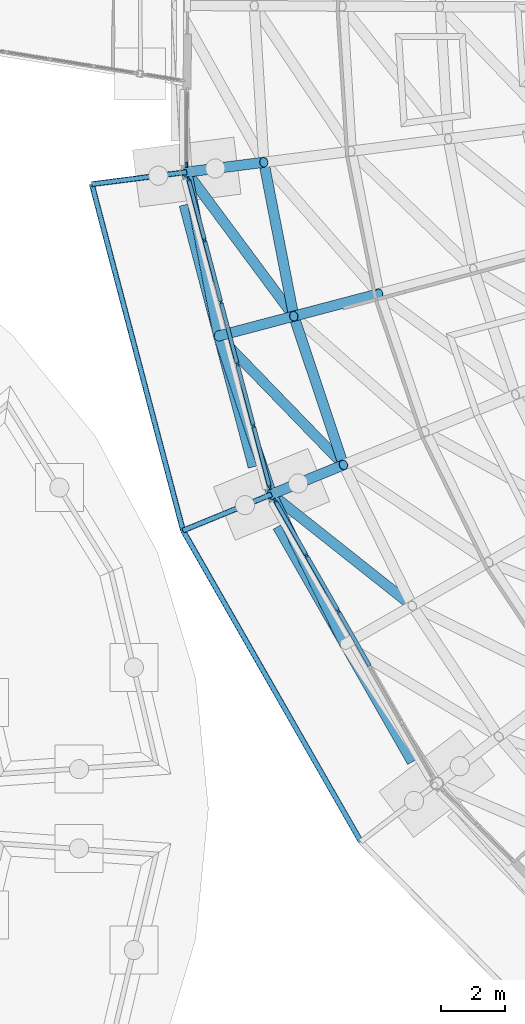
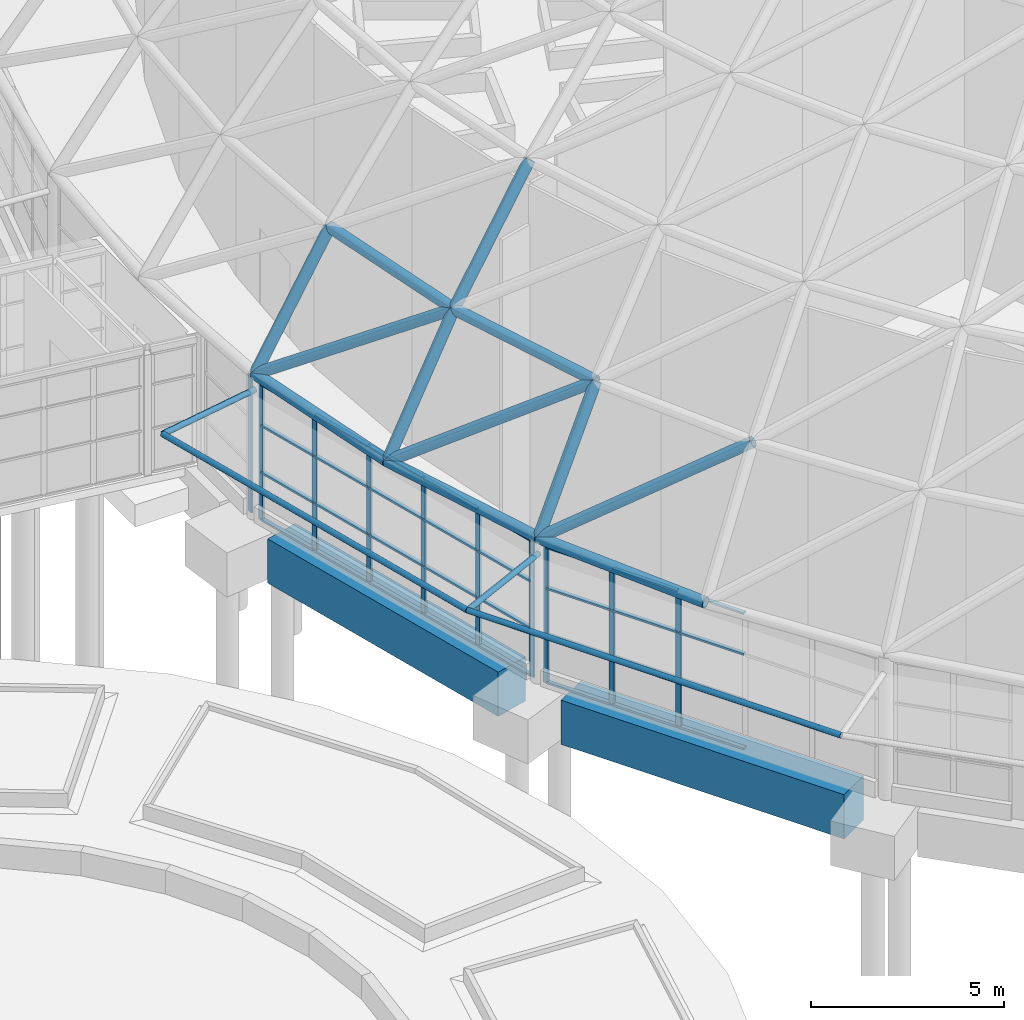
# One storey, part 72 of 226: 58 members, 2 beams, 3 elements without a shape of their own.
"""IFC4 building model written with IfcOpenShell, lengths in metres."""

from ifc_helpers import new_model, si_unit, direction, frame, origin, origin_2d, place, context, subcontext, project, spatial, rectangle, hollow_circle, extrude, material, material_profile, profile_set, type_object, element, aggregate, save


model = new_model("IFC4")

# Units and contexts
model_context = context("Model", 3, precision=1e-05, world=origin(), true_north=direction((0.0, 1.0)))
body_context = subcontext(model_context, "Body", "Model", "MODEL_VIEW")
ifc_project = project(units=[si_unit("LENGTHUNIT", "METRE"), si_unit("AREAUNIT", "SQUARE_METRE"), si_unit("VOLUMEUNIT", "CUBIC_METRE"), si_unit("PLANEANGLEUNIT", "RADIAN"), si_unit("MASSUNIT", "GRAM", prefix="KILO")], contexts=[model_context])

# Site, building, storey
site_placement = place(None, origin())
site = spatial("IfcSite", under=ifc_project, at=site_placement, CompositionType="ELEMENT")
building_placement = place(site_placement, origin())
building = spatial("IfcBuilding", under=site, at=building_placement, Name="Ceibo Conservatory and Research Tower", CompositionType="ELEMENT")
storey_placement = place(building_placement, origin())
storey = spatial("IfcBuildingStorey", under=building, at=storey_placement, Name="L00", CompositionType="ELEMENT", Elevation=0.0)

# Members
ifc_material_1 = material(Name="Steel ASTM A500 Gr C", Category="steel")
ifc_material_profile_1 = material_profile(ifc_material_1, hollow_circle(Radius=0.084228515625, WallThickness=0.007080078125, at=origin_2d()), Name="CHS 168.3x7.11")
ifc_profile_set_1 = profile_set([ifc_material_profile_1], Name="Steel ASTM A500 Gr C")
member_type_1 = type_object("IfcMemberType", Name="CHS 168.3x7.11", PredefinedType="NOTDEFINED", material=ifc_profile_set_1)
for number, where, z_axis, x_axis, name in (
    (1, (116.31982421875, 102.9521484375, 4.0), (-0.990977715429, -0.126087484547, -0.045443522799), (0.126217879041, -0.992002543853, 0.0), "Brim brace bracket A-BK13"),
    (2, (118.978271484375, 92.85400390625, 4.0), (-0.924579088193, -0.378270157158, -0.045444448281), (0.378661364567, -0.925535288892, 0.0), "Brim brace bracket A-BK14"),
):
    element("IfcMember", number, at=place(storey_placement, frame(where, z_axis=z_axis, x_axis=x_axis)), inside=storey, type_object=member_type_1, Name=name, PredefinedType="BRACE", context=body_context, shape_type="SweptSolid", body=[
        extrude(hollow_circle(Radius=0.084228515625, WallThickness=0.007080078125, at=origin_2d()), origin(), (0.0, 0.0, 1.0), 3.003173828125),
    ])
member_1_placement = place(storey_placement, frame((113.34375, 102.573486328125, 3.863525390625), z_axis=(0.254593929339, -0.96704805007, 0.0), x_axis=(0.96704805007, 0.254593929339, 0.0)))
element("IfcMember", 3, at=member_1_placement, inside=storey, type_object=member_type_1, Name="Brim tip ring A-TR16", PredefinedType="CHORD", context=body_context, shape_type="SweptSolid", body=[
    extrude(hollow_circle(Radius=0.084228515625, WallThickness=0.007080078125, at=origin_2d()), origin(), (0.0, 0.0, 1.0), 11.225341796875),
])
member_2_placement = place(storey_placement, frame((116.20166015625, 91.718017578125, 3.863525390625), z_axis=(0.496232624873, -0.868189600267, 0.0), x_axis=(0.868189600267, 0.496232624873, 0.0)))
element("IfcMember", 4, at=member_2_placement, inside=storey, type_object=member_type_1, Name="Brim tip ring A-TR17", PredefinedType="CHORD", context=body_context, shape_type="SweptSolid", body=[
    extrude(hollow_circle(Radius=0.084228515625, WallThickness=0.007080078125, at=origin_2d()), origin(), (0.0, 0.0, 1.0), 11.22509765625),
])
ifc_material_profile_2 = material_profile(ifc_material_1, hollow_circle(Radius=0.161865234375, WallThickness=0.01025390625, at=origin_2d()), Name="CHS 323.9x10.31")
ifc_profile_set_2 = profile_set([ifc_material_profile_2], Name="Steel ASTM A500 Gr C")
member_type_2 = type_object("IfcMemberType", Name="CHS 323.9x10.31", PredefinedType="NOTDEFINED", material=ifc_profile_set_2)
member_3_placement = place(storey_placement, frame((118.735107421875, 103.259033203125, 8.115966796875), z_axis=(0.190905568132, -0.981608406676, 0.0), x_axis=(0.981608406676, 0.190905568132, 0.0)))
element("IfcMember", 5, at=member_3_placement, inside=storey, type_object=member_type_2, Name="Gridshell member A-C02-25", PredefinedType="CHORD", context=body_context, shape_type="SweptSolid", body=[
    extrude(hollow_circle(Radius=0.161865234375, WallThickness=0.01025390625, at=origin_2d()), origin(), (0.0, 0.0, 1.0), 4.913330078125),
])
member_4_placement = place(storey_placement, frame((119.673095703125, 98.43603515625, 8.115966796875), z_axis=(0.31722621995, -0.94834989607, 0.0), x_axis=(0.94834989607, 0.31722621995, 0.0)))
element("IfcMember", 6, at=member_4_placement, inside=storey, type_object=member_type_2, Name="Gridshell member A-C02-26", PredefinedType="CHORD", context=body_context, shape_type="SweptSolid", body=[
    extrude(hollow_circle(Radius=0.161865234375, WallThickness=0.01025390625, at=origin_2d()), origin(), (0.0, 0.0, 1.0), 4.9140625),
])
ifc_material_profile_3 = material_profile(ifc_material_1, hollow_circle(Radius=0.161865234375, WallThickness=0.01416015625, at=origin_2d()), Name="CHS 323.9x14.27")
ifc_profile_set_3 = profile_set([ifc_material_profile_3], Name="Steel ASTM A500 Gr C")
member_type_3 = type_object("IfcMemberType", Name="CHS 323.9x14.27", PredefinedType="NOTDEFINED", material=ifc_profile_set_3)
member_5_placement = place(storey_placement, frame((116.320068359375, 102.951904296875, 4.5), z_axis=(0.554019417167, 0.070456573675, 0.829516941737), x_axis=(-0.126157387805, 0.992010238608, 0.0)))
element("IfcMember", 7, at=member_5_placement, inside=storey, type_object=member_type_3, Name="Gridshell member A-M25-01", PredefinedType="RAFTER", context=body_context, shape_type="SweptSolid", body=[
    extrude(hollow_circle(Radius=0.161865234375, WallThickness=0.01416015625, at=origin_2d()), origin(), (0.0, 0.0, 1.0), 4.359130859375),
])
member_6_placement = place(storey_placement, frame((117.318115234375, 97.81591796875, 4.5), z_axis=(0.540188632558, 0.142243326425, 0.829435396726), x_axis=(-0.254641337547, 0.967035567708, 0.0)))
element("IfcMember", 8, at=member_6_placement, inside=storey, type_object=member_type_3, Name="Gridshell member A-M26-01", PredefinedType="RAFTER", context=body_context, shape_type="SweptSolid", body=[
    extrude(hollow_circle(Radius=0.161865234375, WallThickness=0.01416015625, at=origin_2d()), origin(), (0.0, 0.0, 1.0), 4.359619140625),
])
member_7_placement = place(storey_placement, frame((118.97802734375, 92.85400390625, 4.5), z_axis=(0.517011318733, 0.211463901596, 0.829446993257), x_axis=(-0.378570383868, 0.925572506321, 0.0)))
element("IfcMember", 9, at=member_7_placement, inside=storey, type_object=member_type_3, Name="Gridshell member A-M27-01", PredefinedType="RAFTER", context=body_context, shape_type="SweptSolid", body=[
    extrude(hollow_circle(Radius=0.161865234375, WallThickness=0.01416015625, at=origin_2d()), origin(), (0.0, 0.0, 1.0), 4.359375),
])
member_8_placement = place(storey_placement, frame((119.673095703125, 98.43603515625, 8.115966796875), z_axis=(0.612382565304, 0.16127418638, 0.773936838844), x_axis=(-0.254671815969, 0.967027541568, 0.0)))
element("IfcMember", 10, at=member_8_placement, inside=storey, type_object=member_type_3, Name="Gridshell member A-M26-02", PredefinedType="RAFTER", context=body_context, shape_type="SweptSolid", body=[
    extrude(hollow_circle(Radius=0.161865234375, WallThickness=0.01416015625, at=origin_2d()), origin(), (0.0, 0.0, 1.0), 4.3583984375),
])
ifc_material_2 = material(Name="Steel S355J2H", Category="steel")
ifc_material_profile_4 = material_profile(ifc_material_2, hollow_circle(Radius=0.161865234375, WallThickness=0.025390625, at=origin_2d()), Name="CHS 323.9x25.40")
ifc_profile_set_4 = profile_set([ifc_material_profile_4], Name="Steel S355J2H")
member_type_4 = type_object("IfcMemberType", Name="CHS 323.9x25.40", PredefinedType="NOTDEFINED", material=ifc_profile_set_4)
for number, where, z_axis, x_axis, name in (
    (11, (116.320068359375, 102.951904296875, 4.5), (0.190756002721, -0.981637482692, 0.0), (0.981637482692, 0.190756002721, 0.0), "Gridshell member A-C01-25"),
    (12, (117.318115234375, 97.81591796875, 4.5), (0.317249462726, -0.948342120967, 0.0), (0.948342120967, 0.317249462726, 0.0), "Gridshell member A-C01-26"),
):
    element("IfcMember", number, at=place(storey_placement, frame(where, z_axis=z_axis, x_axis=x_axis)), inside=storey, type_object=member_type_4, Name=name, PredefinedType="CHORD", context=body_context, shape_type="SweptSolid", body=[
        extrude(hollow_circle(Radius=0.161865234375, WallThickness=0.025390625, at=origin_2d()), origin(), (0.0, 0.0, 1.0), 5.232177734375),
    ])
member_9_placement = place(storey_placement, frame((118.97802734375, 92.85400390625, 4.5), z_axis=(0.4383831856, -0.898788174479, 0.0), x_axis=(0.898788174479, 0.4383831856, 0.0)))
element("IfcMember", 13, at=member_9_placement, inside=storey, type_object=member_type_4, Name="Gridshell member A-C01-27", PredefinedType="CHORD", context=body_context, shape_type="SweptSolid", body=[
    extrude(hollow_circle(Radius=0.161865234375, WallThickness=0.025390625, at=origin_2d()), origin(), (0.0, 0.0, 1.0), 5.232666015625),
])
ifc_material_profile_5 = material_profile(ifc_material_1, hollow_circle(Radius=0.161865234375, WallThickness=0.00830078125, at=origin_2d()), Name="CHS 323.9x8.38")
ifc_profile_set_5 = profile_set([ifc_material_profile_5], Name="Steel ASTM A500 Gr C")
member_type_5 = type_object("IfcMemberType", Name="CHS 323.9x8.38", PredefinedType="NOTDEFINED", material=ifc_profile_set_5)
member_10_placement = place(storey_placement, frame((116.320068359375, 102.951904296875, 4.5), z_axis=(0.50145215671, -0.675357546429, 0.540775294381), x_axis=(0.802881556814, 0.596138579298, 0.0)))
element("IfcMember", 14, at=member_10_placement, inside=storey, type_object=member_type_5, Name="Gridshell diagonal member A-D01-25", PredefinedType="BRACE", context=body_context, shape_type="SweptSolid", body=[
    extrude(hollow_circle(Radius=0.161865234375, WallThickness=0.00830078125, at=origin_2d()), origin(), (0.0, 0.0, 1.0), 6.6865234375),
])
member_11_placement = place(storey_placement, frame((117.318115234375, 97.81591796875, 4.5), z_axis=(0.585293276905, -0.604168994213, 0.54075096527), x_axis=(0.718237511445, 0.695798014623, 0.0)))
element("IfcMember", 15, at=member_11_placement, inside=storey, type_object=member_type_5, Name="Gridshell diagonal member A-D01-26", PredefinedType="BRACE", context=body_context, shape_type="SweptSolid", body=[
    extrude(hollow_circle(Radius=0.161865234375, WallThickness=0.00830078125, at=origin_2d()), origin(), (0.0, 0.0, 1.0), 6.68701171875),
])
member_12_placement = place(storey_placement, frame((118.97802734375, 92.85400390625, 4.5), z_axis=(0.659207944056, -0.522510378698, 0.540765929627), x_axis=(0.621168662427, 0.783676905885, 0.0)))
element("IfcMember", 16, at=member_12_placement, inside=storey, type_object=member_type_5, Name="Gridshell diagonal member A-D01-27", PredefinedType="BRACE", context=body_context, shape_type="SweptSolid", body=[
    extrude(hollow_circle(Radius=0.161865234375, WallThickness=0.00830078125, at=origin_2d()), origin(), (0.0, 0.0, 1.0), 6.686767578125),
])

# Curtain wall, member
ifc_material_3 = material(Name="Aluminium and glass", Category="aluminium")
curtain_wall_type = type_object("IfcCurtainWallType", Name="Drum curtain wall", PredefinedType="NOTDEFINED", material=ifc_material_3)
curtain_wall_1_placement = place(storey_placement, origin())
curtain_wall_1 = element("IfcCurtainWall", 17, at=curtain_wall_1_placement, inside=storey, type_object=curtain_wall_type, Name="Drum curtain wall A-CW12E", PredefinedType="NOTDEFINED")
ifc_material_4 = material(Name="Aluminium", Category="aluminium")
ifc_material_profile_6 = material_profile(ifc_material_4, rectangle(XDim=0.06005859375, YDim=0.159912109375, at=origin_2d()), Name="AL 60x160")
ifc_profile_set_6 = profile_set([ifc_material_profile_6], Name="Aluminium")
member_type_6 = type_object("IfcMemberType", Name="Drum mullion 60x160", PredefinedType="MULLION", material=ifc_profile_set_6)
member_13_placement = place(storey_placement, frame((116.32080078125, 103.185302734375, 0.0), z_axis=(0.0, 0.0, 1.0), x_axis=(0.999990480759, -0.004363300488, 0.0)))
member_13 = element("IfcMember", 18, at=member_13_placement, type_object=member_type_6, Name="A-CW12E mullion 2", PredefinedType="MULLION", context=body_context, shape_type="SweptSolid", body=[
    extrude(rectangle(XDim=0.06005859375, YDim=0.159912109375, at=origin_2d()), origin(), (0.0, 0.0, 1.0), 4.338134765625),
])
aggregate(curtain_wall_1, [member_13])

# Curtain wall, members
curtain_wall_2_placement = place(storey_placement, origin())
curtain_wall_2 = element("IfcCurtainWall", 19, at=curtain_wall_2_placement, inside=storey, type_object=curtain_wall_type, Name="Drum curtain wall A-CW13", PredefinedType="NOTDEFINED")
member_14_placement = place(storey_placement, frame((116.379150390625, 102.7265625, 0.0), z_axis=(0.0, 0.0, 1.0), x_axis=(0.967045935266, 0.254601962062, 0.0)))
member_14 = element("IfcMember", 20, at=member_14_placement, type_object=member_type_6, Name="A-CW13 mullion 1", PredefinedType="MULLION", context=body_context, shape_type="SweptSolid", body=[
    extrude(rectangle(XDim=0.06005859375, YDim=0.159912109375, at=origin_2d()), origin(), (0.0, 0.0, 1.0), 4.338134765625),
])
member_15_placement = place(storey_placement, frame((116.882568359375, 100.814453125, 0.0), z_axis=(0.0, 0.0, 1.0), x_axis=(0.967045935266, 0.254601962062, 0.0)))
member_15 = element("IfcMember", 21, at=member_15_placement, type_object=member_type_6, Name="A-CW13 mullion 2", PredefinedType="MULLION", context=body_context, shape_type="SweptSolid", body=[
    extrude(rectangle(XDim=0.06005859375, YDim=0.159912109375, at=origin_2d()), origin(), (0.0, 0.0, 1.0), 4.338134765625),
])
member_16_placement = place(storey_placement, frame((117.3935546875, 98.87353515625, 0.0), z_axis=(0.0, 0.0, 1.0), x_axis=(0.967045935266, 0.254601962062, 0.0)))
member_16 = element("IfcMember", 22, at=member_16_placement, type_object=member_type_6, Name="A-CW13 mullion 3", PredefinedType="MULLION", context=body_context, shape_type="SweptSolid", body=[
    extrude(rectangle(XDim=0.06005859375, YDim=0.159912109375, at=origin_2d()), origin(), (0.0, 0.0, 1.0), 4.338134765625),
])
member_17_placement = place(storey_placement, frame((117.904541015625, 96.9326171875, 0.0), z_axis=(0.0, 0.0, 1.0), x_axis=(0.967045935266, 0.254601962062, 0.0)))
member_17 = element("IfcMember", 23, at=member_17_placement, type_object=member_type_6, Name="A-CW13 mullion 4", PredefinedType="MULLION", context=body_context, shape_type="SweptSolid", body=[
    extrude(rectangle(XDim=0.06005859375, YDim=0.159912109375, at=origin_2d()), origin(), (0.0, 0.0, 1.0), 4.338134765625),
])
member_18_placement = place(storey_placement, frame((118.41552734375, 94.991455078125, 0.0), z_axis=(0.0, 0.0, 1.0), x_axis=(0.967045935266, 0.254601962062, 0.0)))
member_18 = element("IfcMember", 24, at=member_18_placement, type_object=member_type_6, Name="A-CW13 mullion 5", PredefinedType="MULLION", context=body_context, shape_type="SweptSolid", body=[
    extrude(rectangle(XDim=0.06005859375, YDim=0.159912109375, at=origin_2d()), origin(), (0.0, 0.0, 1.0), 4.338134765625),
])
member_19_placement = place(storey_placement, frame((118.9189453125, 93.07958984375, 0.0), z_axis=(0.0, 0.0, 1.0), x_axis=(0.967045935266, 0.254601962062, 0.0)))
member_19 = element("IfcMember", 25, at=member_19_placement, type_object=member_type_6, Name="A-CW13 mullion 6", PredefinedType="MULLION", context=body_context, shape_type="SweptSolid", body=[
    extrude(rectangle(XDim=0.06005859375, YDim=0.159912109375, at=origin_2d()), origin(), (0.0, 0.0, 1.0), 4.338134765625),
])

curtain_wall_3_placement = place(storey_placement, origin())
curtain_wall_3 = element("IfcCurtainWall", 26, at=curtain_wall_3_placement, inside=storey, type_object=curtain_wall_type, Name="Drum curtain wall A-CW14", PredefinedType="NOTDEFINED")
member_20_placement = place(storey_placement, frame((119.093994140625, 92.651611328125, 0.0), z_axis=(0.0, 0.0, 1.0), x_axis=(0.868198821002, 0.49621649228, 0.0)))
member_20 = element("IfcMember", 27, at=member_20_placement, type_object=member_type_6, Name="A-CW14 mullion 1", PredefinedType="MULLION", context=body_context, shape_type="SweptSolid", body=[
    extrude(rectangle(XDim=0.06005859375, YDim=0.159912109375, at=origin_2d()), origin(), (0.0, 0.0, 1.0), 4.338134765625),
])
member_21_placement = place(storey_placement, frame((120.0751953125, 90.93505859375, 0.0), z_axis=(0.0, 0.0, 1.0), x_axis=(0.868198821002, 0.49621649228, 0.0)))
member_21 = element("IfcMember", 28, at=member_21_placement, type_object=member_type_6, Name="A-CW14 mullion 2", PredefinedType="MULLION", context=body_context, shape_type="SweptSolid", body=[
    extrude(rectangle(XDim=0.06005859375, YDim=0.159912109375, at=origin_2d()), origin(), (0.0, 0.0, 1.0), 4.338134765625),
])
member_22_placement = place(storey_placement, frame((121.071044921875, 89.1923828125, 0.0), z_axis=(0.0, 0.0, 1.0), x_axis=(0.868198821002, 0.49621649228, 0.0)))
member_22 = element("IfcMember", 29, at=member_22_placement, type_object=member_type_6, Name="A-CW14 mullion 3", PredefinedType="MULLION", context=body_context, shape_type="SweptSolid", body=[
    extrude(rectangle(XDim=0.06005859375, YDim=0.159912109375, at=origin_2d()), origin(), (0.0, 0.0, 1.0), 4.338134765625),
])

# Member
ifc_material_profile_7 = material_profile(ifc_material_4, rectangle(XDim=0.1201171875, YDim=0.06005859375, at=origin_2d()), Name="AL 60x120")
ifc_profile_set_7 = profile_set([ifc_material_profile_7], Name="Aluminium")
member_type_7 = type_object("IfcMemberType", Name="Drum transom 60x120", PredefinedType="USERDEFINED", material=ifc_profile_set_7)
member_23_placement = place(storey_placement, frame((116.38671875, 102.697509765625, 0.030029296875), z_axis=(0.254681336388, -0.967025034265, 0.0), x_axis=(0.967025034265, 0.254681336388, 0.0)))
member_23 = element("IfcMember", 30, at=member_23_placement, type_object=member_type_7, Name="A-CW13 transom 1.1", ObjectType="TRANSOM", PredefinedType="USERDEFINED", context=body_context, shape_type="SweptSolid", body=[
    extrude(rectangle(XDim=0.1201171875, YDim=0.06005859375, at=origin_2d()), origin(), (0.0, 0.0, 1.0), 1.917236328125),
])

member_24_placement = place(storey_placement, frame((116.38671875, 102.697509765625, 1.530029296875), z_axis=(0.254681336388, -0.967025034265, 0.0), x_axis=(0.967025034265, 0.254681336388, 0.0)))
member_24 = element("IfcMember", 31, at=member_24_placement, type_object=member_type_7, Name="A-CW13 transom 1.2", ObjectType="TRANSOM", PredefinedType="USERDEFINED", context=body_context, shape_type="SweptSolid", body=[
    extrude(rectangle(XDim=0.1201171875, YDim=0.06005859375, at=origin_2d()), origin(), (0.0, 0.0, 1.0), 1.917236328125),
])

member_25_placement = place(storey_placement, frame((116.38671875, 102.697509765625, 3.014892578125), z_axis=(0.254681336388, -0.967025034265, 0.0), x_axis=(0.967025034265, 0.254681336388, 0.0)))
member_25 = element("IfcMember", 32, at=member_25_placement, type_object=member_type_7, Name="A-CW13 transom 1.3", ObjectType="TRANSOM", PredefinedType="USERDEFINED", context=body_context, shape_type="SweptSolid", body=[
    extrude(rectangle(XDim=0.1201171875, YDim=0.06005859375, at=origin_2d()), origin(), (0.0, 0.0, 1.0), 1.917236328125),
])

member_26_placement = place(storey_placement, frame((116.38671875, 102.697509765625, 4.30810546875), z_axis=(0.254681336388, -0.967025034265, 0.0), x_axis=(0.967025034265, 0.254681336388, 0.0)))
member_26 = element("IfcMember", 33, at=member_26_placement, type_object=member_type_7, Name="A-CW13 transom 1.4", ObjectType="TRANSOM", PredefinedType="USERDEFINED", context=body_context, shape_type="SweptSolid", body=[
    extrude(rectangle(XDim=0.1201171875, YDim=0.06005859375, at=origin_2d()), origin(), (0.0, 0.0, 1.0), 1.917236328125),
])

member_27_placement = place(storey_placement, frame((116.89013671875, 100.78564453125, 0.030029296875), z_axis=(0.254641410477, -0.967035548504, 0.0), x_axis=(0.967035548504, 0.254641410477, 0.0)))
member_27 = element("IfcMember", 34, at=member_27_placement, type_object=member_type_7, Name="A-CW13 transom 2.1", ObjectType="TRANSOM", PredefinedType="USERDEFINED", context=body_context, shape_type="SweptSolid", body=[
    extrude(rectangle(XDim=0.1201171875, YDim=0.06005859375, at=origin_2d()), origin(), (0.0, 0.0, 1.0), 1.947265625),
])

member_28_placement = place(storey_placement, frame((116.89013671875, 100.78564453125, 1.530029296875), z_axis=(0.254641410477, -0.967035548504, 0.0), x_axis=(0.967035548504, 0.254641410477, 0.0)))
member_28 = element("IfcMember", 35, at=member_28_placement, type_object=member_type_7, Name="A-CW13 transom 2.2", ObjectType="TRANSOM", PredefinedType="USERDEFINED", context=body_context, shape_type="SweptSolid", body=[
    extrude(rectangle(XDim=0.1201171875, YDim=0.06005859375, at=origin_2d()), origin(), (0.0, 0.0, 1.0), 1.947265625),
])

member_29_placement = place(storey_placement, frame((116.89013671875, 100.78564453125, 3.014892578125), z_axis=(0.254641410477, -0.967035548504, 0.0), x_axis=(0.967035548504, 0.254641410477, 0.0)))
member_29 = element("IfcMember", 36, at=member_29_placement, type_object=member_type_7, Name="A-CW13 transom 2.3", ObjectType="TRANSOM", PredefinedType="USERDEFINED", context=body_context, shape_type="SweptSolid", body=[
    extrude(rectangle(XDim=0.1201171875, YDim=0.06005859375, at=origin_2d()), origin(), (0.0, 0.0, 1.0), 1.947265625),
])

member_30_placement = place(storey_placement, frame((116.89013671875, 100.78564453125, 4.30810546875), z_axis=(0.254641410477, -0.967035548504, 0.0), x_axis=(0.967035548504, 0.254641410477, 0.0)))
member_30 = element("IfcMember", 37, at=member_30_placement, type_object=member_type_7, Name="A-CW13 transom 2.4", ObjectType="TRANSOM", PredefinedType="USERDEFINED", context=body_context, shape_type="SweptSolid", body=[
    extrude(rectangle(XDim=0.1201171875, YDim=0.06005859375, at=origin_2d()), origin(), (0.0, 0.0, 1.0), 1.947265625),
])

member_31_placement = place(storey_placement, frame((117.401123046875, 98.844482421875, 0.030029296875), z_axis=(0.254672287926, -0.967027417275, 0.0), x_axis=(0.967027417275, 0.254672287926, 0.0)))
member_31 = element("IfcMember", 38, at=member_31_placement, type_object=member_type_7, Name="A-CW13 transom 3.1", ObjectType="TRANSOM", PredefinedType="USERDEFINED", context=body_context, shape_type="SweptSolid", body=[
    extrude(rectangle(XDim=0.1201171875, YDim=0.06005859375, at=origin_2d()), origin(), (0.0, 0.0, 1.0), 1.947021484375),
])

member_32_placement = place(storey_placement, frame((117.401123046875, 98.844482421875, 1.530029296875), z_axis=(0.254672287926, -0.967027417275, 0.0), x_axis=(0.967027417275, 0.254672287926, 0.0)))
member_32 = element("IfcMember", 39, at=member_32_placement, type_object=member_type_7, Name="A-CW13 transom 3.2", ObjectType="TRANSOM", PredefinedType="USERDEFINED", context=body_context, shape_type="SweptSolid", body=[
    extrude(rectangle(XDim=0.1201171875, YDim=0.06005859375, at=origin_2d()), origin(), (0.0, 0.0, 1.0), 1.947021484375),
])

member_33_placement = place(storey_placement, frame((117.401123046875, 98.844482421875, 3.014892578125), z_axis=(0.254672287926, -0.967027417275, 0.0), x_axis=(0.967027417275, 0.254672287926, 0.0)))
member_33 = element("IfcMember", 40, at=member_33_placement, type_object=member_type_7, Name="A-CW13 transom 3.3", ObjectType="TRANSOM", PredefinedType="USERDEFINED", context=body_context, shape_type="SweptSolid", body=[
    extrude(rectangle(XDim=0.1201171875, YDim=0.06005859375, at=origin_2d()), origin(), (0.0, 0.0, 1.0), 1.947021484375),
])

member_34_placement = place(storey_placement, frame((117.401123046875, 98.844482421875, 4.30810546875), z_axis=(0.254672287926, -0.967027417275, 0.0), x_axis=(0.967027417275, 0.254672287926, 0.0)))
member_34 = element("IfcMember", 41, at=member_34_placement, type_object=member_type_7, Name="A-CW13 transom 3.4", ObjectType="TRANSOM", PredefinedType="USERDEFINED", context=body_context, shape_type="SweptSolid", body=[
    extrude(rectangle(XDim=0.1201171875, YDim=0.06005859375, at=origin_2d()), origin(), (0.0, 0.0, 1.0), 1.947021484375),
])

member_35_placement = place(storey_placement, frame((117.912353515625, 96.903564453125, 0.030029296875), z_axis=(0.254524157256, -0.967066416216, 0.0), x_axis=(0.967066416216, 0.254524157256, 0.0)))
member_35 = element("IfcMember", 42, at=member_35_placement, type_object=member_type_7, Name="A-CW13 transom 4.1", ObjectType="TRANSOM", PredefinedType="USERDEFINED", context=body_context, shape_type="SweptSolid", body=[
    extrude(rectangle(XDim=0.1201171875, YDim=0.06005859375, at=origin_2d()), origin(), (0.0, 0.0, 1.0), 1.947265625),
])

member_36_placement = place(storey_placement, frame((117.912353515625, 96.903564453125, 1.530029296875), z_axis=(0.254524157256, -0.967066416216, 0.0), x_axis=(0.967066416216, 0.254524157256, 0.0)))
member_36 = element("IfcMember", 43, at=member_36_placement, type_object=member_type_7, Name="A-CW13 transom 4.2", ObjectType="TRANSOM", PredefinedType="USERDEFINED", context=body_context, shape_type="SweptSolid", body=[
    extrude(rectangle(XDim=0.1201171875, YDim=0.06005859375, at=origin_2d()), origin(), (0.0, 0.0, 1.0), 1.947265625),
])

member_37_placement = place(storey_placement, frame((117.912353515625, 96.903564453125, 3.014892578125), z_axis=(0.254524157256, -0.967066416216, 0.0), x_axis=(0.967066416216, 0.254524157256, 0.0)))
member_37 = element("IfcMember", 44, at=member_37_placement, type_object=member_type_7, Name="A-CW13 transom 4.3", ObjectType="TRANSOM", PredefinedType="USERDEFINED", context=body_context, shape_type="SweptSolid", body=[
    extrude(rectangle(XDim=0.1201171875, YDim=0.06005859375, at=origin_2d()), origin(), (0.0, 0.0, 1.0), 1.947265625),
])

member_38_placement = place(storey_placement, frame((117.912353515625, 96.903564453125, 4.30810546875), z_axis=(0.254524157256, -0.967066416216, 0.0), x_axis=(0.967066416216, 0.254524157256, 0.0)))
member_38 = element("IfcMember", 45, at=member_38_placement, type_object=member_type_7, Name="A-CW13 transom 4.4", ObjectType="TRANSOM", PredefinedType="USERDEFINED", context=body_context, shape_type="SweptSolid", body=[
    extrude(rectangle(XDim=0.1201171875, YDim=0.06005859375, at=origin_2d()), origin(), (0.0, 0.0, 1.0), 1.947265625),
])

member_39_placement = place(storey_placement, frame((118.42333984375, 94.962646484375, 0.030029296875), z_axis=(0.254562249572, -0.967056389821, 0.0), x_axis=(0.967056389821, 0.254562249572, 0.0)))
member_39 = element("IfcMember", 46, at=member_39_placement, type_object=member_type_7, Name="A-CW13 transom 5.1", ObjectType="TRANSOM", PredefinedType="USERDEFINED", context=body_context, shape_type="SweptSolid", body=[
    extrude(rectangle(XDim=0.1201171875, YDim=0.06005859375, at=origin_2d()), origin(), (0.0, 0.0, 1.0), 1.917236328125),
])

member_40_placement = place(storey_placement, frame((118.42333984375, 94.962646484375, 1.530029296875), z_axis=(0.254562249572, -0.967056389821, 0.0), x_axis=(0.967056389821, 0.254562249572, 0.0)))
member_40 = element("IfcMember", 47, at=member_40_placement, type_object=member_type_7, Name="A-CW13 transom 5.2", ObjectType="TRANSOM", PredefinedType="USERDEFINED", context=body_context, shape_type="SweptSolid", body=[
    extrude(rectangle(XDim=0.1201171875, YDim=0.06005859375, at=origin_2d()), origin(), (0.0, 0.0, 1.0), 1.917236328125),
])

member_41_placement = place(storey_placement, frame((118.42333984375, 94.962646484375, 3.014892578125), z_axis=(0.254562249572, -0.967056389821, 0.0), x_axis=(0.967056389821, 0.254562249572, 0.0)))
member_41 = element("IfcMember", 48, at=member_41_placement, type_object=member_type_7, Name="A-CW13 transom 5.3", ObjectType="TRANSOM", PredefinedType="USERDEFINED", context=body_context, shape_type="SweptSolid", body=[
    extrude(rectangle(XDim=0.1201171875, YDim=0.06005859375, at=origin_2d()), origin(), (0.0, 0.0, 1.0), 1.917236328125),
])

member_42_placement = place(storey_placement, frame((118.42333984375, 94.962646484375, 4.30810546875), z_axis=(0.254562249572, -0.967056389821, 0.0), x_axis=(0.967056389821, 0.254562249572, 0.0)))
member_42 = element("IfcMember", 49, at=member_42_placement, type_object=member_type_7, Name="A-CW13 transom 5.4", ObjectType="TRANSOM", PredefinedType="USERDEFINED", context=body_context, shape_type="SweptSolid", body=[
    extrude(rectangle(XDim=0.1201171875, YDim=0.06005859375, at=origin_2d()), origin(), (0.0, 0.0, 1.0), 1.917236328125),
])

aggregate(curtain_wall_2, [member_14, member_15, member_16, member_17, member_18, member_19, member_23, member_24, member_25, member_26, member_27, member_28, member_29, member_30, member_31, member_32, member_33, member_34, member_35, member_36, member_37, member_38, member_39, member_40, member_41, member_42])

member_43_placement = place(storey_placement, frame((119.10888671875, 92.62548828125, 0.030029296875), z_axis=(0.496289793717, -0.868156921675, 0.0), x_axis=(0.868156921675, 0.496289793717, 0.0)))
member_43 = element("IfcMember", 50, at=member_43_placement, type_object=member_type_7, Name="A-CW14 transom 1.1", ObjectType="TRANSOM", PredefinedType="USERDEFINED", context=body_context, shape_type="SweptSolid", body=[
    extrude(rectangle(XDim=0.1201171875, YDim=0.06005859375, at=origin_2d()), origin(), (0.0, 0.0, 1.0), 1.9169921875),
])

member_44_placement = place(storey_placement, frame((119.10888671875, 92.62548828125, 1.530029296875), z_axis=(0.496289793717, -0.868156921675, 0.0), x_axis=(0.868156921675, 0.496289793717, 0.0)))
member_44 = element("IfcMember", 51, at=member_44_placement, type_object=member_type_7, Name="A-CW14 transom 1.2", ObjectType="TRANSOM", PredefinedType="USERDEFINED", context=body_context, shape_type="SweptSolid", body=[
    extrude(rectangle(XDim=0.1201171875, YDim=0.06005859375, at=origin_2d()), origin(), (0.0, 0.0, 1.0), 1.9169921875),
])

member_45_placement = place(storey_placement, frame((119.10888671875, 92.62548828125, 3.014892578125), z_axis=(0.496289793717, -0.868156921675, 0.0), x_axis=(0.868156921675, 0.496289793717, 0.0)))
member_45 = element("IfcMember", 52, at=member_45_placement, type_object=member_type_7, Name="A-CW14 transom 1.3", ObjectType="TRANSOM", PredefinedType="USERDEFINED", context=body_context, shape_type="SweptSolid", body=[
    extrude(rectangle(XDim=0.1201171875, YDim=0.06005859375, at=origin_2d()), origin(), (0.0, 0.0, 1.0), 1.9169921875),
])

member_46_placement = place(storey_placement, frame((119.10888671875, 92.62548828125, 4.30810546875), z_axis=(0.496289793717, -0.868156921675, 0.0), x_axis=(0.868156921675, 0.496289793717, 0.0)))
member_46 = element("IfcMember", 53, at=member_46_placement, type_object=member_type_7, Name="A-CW14 transom 1.4", ObjectType="TRANSOM", PredefinedType="USERDEFINED", context=body_context, shape_type="SweptSolid", body=[
    extrude(rectangle(XDim=0.1201171875, YDim=0.06005859375, at=origin_2d()), origin(), (0.0, 0.0, 1.0), 1.9169921875),
])

member_47_placement = place(storey_placement, frame((120.090087890625, 90.908935546875, 0.030029296875), z_axis=(0.496273962393, -0.868165971604, 0.0), x_axis=(0.868165971604, 0.496273962393, 0.0)))
member_47 = element("IfcMember", 54, at=member_47_placement, type_object=member_type_7, Name="A-CW14 transom 2.1", ObjectType="TRANSOM", PredefinedType="USERDEFINED", context=body_context, shape_type="SweptSolid", body=[
    extrude(rectangle(XDim=0.1201171875, YDim=0.06005859375, at=origin_2d()), origin(), (0.0, 0.0, 1.0), 1.947021484375),
])

member_48_placement = place(storey_placement, frame((120.090087890625, 90.908935546875, 1.530029296875), z_axis=(0.496273962393, -0.868165971604, 0.0), x_axis=(0.868165971604, 0.496273962393, 0.0)))
member_48 = element("IfcMember", 55, at=member_48_placement, type_object=member_type_7, Name="A-CW14 transom 2.2", ObjectType="TRANSOM", PredefinedType="USERDEFINED", context=body_context, shape_type="SweptSolid", body=[
    extrude(rectangle(XDim=0.1201171875, YDim=0.06005859375, at=origin_2d()), origin(), (0.0, 0.0, 1.0), 1.947021484375),
])

member_49_placement = place(storey_placement, frame((120.090087890625, 90.908935546875, 3.014892578125), z_axis=(0.496273962393, -0.868165971604, 0.0), x_axis=(0.868165971604, 0.496273962393, 0.0)))
member_49 = element("IfcMember", 56, at=member_49_placement, type_object=member_type_7, Name="A-CW14 transom 2.3", ObjectType="TRANSOM", PredefinedType="USERDEFINED", context=body_context, shape_type="SweptSolid", body=[
    extrude(rectangle(XDim=0.1201171875, YDim=0.06005859375, at=origin_2d()), origin(), (0.0, 0.0, 1.0), 1.947021484375),
])

member_50_placement = place(storey_placement, frame((120.090087890625, 90.908935546875, 4.30810546875), z_axis=(0.496273962393, -0.868165971604, 0.0), x_axis=(0.868165971604, 0.496273962393, 0.0)))
member_50 = element("IfcMember", 57, at=member_50_placement, type_object=member_type_7, Name="A-CW14 transom 2.4", ObjectType="TRANSOM", PredefinedType="USERDEFINED", context=body_context, shape_type="SweptSolid", body=[
    extrude(rectangle(XDim=0.1201171875, YDim=0.06005859375, at=origin_2d()), origin(), (0.0, 0.0, 1.0), 1.947021484375),
])

member_51_placement = place(storey_placement, frame((121.0859375, 89.16650390625, 0.030029296875), z_axis=(0.496219945401, -0.868196847372, 0.0), x_axis=(0.868196847372, 0.496219945401, 0.0)))
member_51 = element("IfcMember", 58, at=member_51_placement, type_object=member_type_7, Name="A-CW14 transom 3.1", ObjectType="TRANSOM", PredefinedType="USERDEFINED", context=body_context, shape_type="SweptSolid", body=[
    extrude(rectangle(XDim=0.1201171875, YDim=0.06005859375, at=origin_2d()), origin(), (0.0, 0.0, 1.0), 1.947265625),
])

member_52_placement = place(storey_placement, frame((121.0859375, 89.16650390625, 1.530029296875), z_axis=(0.496219945401, -0.868196847372, 0.0), x_axis=(0.868196847372, 0.496219945401, 0.0)))
member_52 = element("IfcMember", 59, at=member_52_placement, type_object=member_type_7, Name="A-CW14 transom 3.2", ObjectType="TRANSOM", PredefinedType="USERDEFINED", context=body_context, shape_type="SweptSolid", body=[
    extrude(rectangle(XDim=0.1201171875, YDim=0.06005859375, at=origin_2d()), origin(), (0.0, 0.0, 1.0), 1.947265625),
])

member_53_placement = place(storey_placement, frame((121.0859375, 89.16650390625, 3.014892578125), z_axis=(0.496219945401, -0.868196847372, 0.0), x_axis=(0.868196847372, 0.496219945401, 0.0)))
member_53 = element("IfcMember", 60, at=member_53_placement, type_object=member_type_7, Name="A-CW14 transom 3.3", ObjectType="TRANSOM", PredefinedType="USERDEFINED", context=body_context, shape_type="SweptSolid", body=[
    extrude(rectangle(XDim=0.1201171875, YDim=0.06005859375, at=origin_2d()), origin(), (0.0, 0.0, 1.0), 1.947265625),
])

member_54_placement = place(storey_placement, frame((121.0859375, 89.16650390625, 4.30810546875), z_axis=(0.496219945401, -0.868196847372, 0.0), x_axis=(0.868196847372, 0.496219945401, 0.0)))
member_54 = element("IfcMember", 61, at=member_54_placement, type_object=member_type_7, Name="A-CW14 transom 3.4", ObjectType="TRANSOM", PredefinedType="USERDEFINED", context=body_context, shape_type="SweptSolid", body=[
    extrude(rectangle(XDim=0.1201171875, YDim=0.06005859375, at=origin_2d()), origin(), (0.0, 0.0, 1.0), 1.947265625),
])

aggregate(curtain_wall_3, [member_20, member_21, member_22, member_43, member_44, member_45, member_46, member_47, member_48, member_49, member_50, member_51, member_52, member_53, member_54])

# Beams
ifc_material_5 = material(Name="Concrete C35/45", Category="concrete")
ifc_material_profile_8 = material_profile(ifc_material_5, rectangle(XDim=1.0, YDim=1.39990234375, at=origin_2d()), Name="RC 1000x1400")
ifc_profile_set_8 = profile_set([ifc_material_profile_8], Name="Concrete C35/45")
beam_type = type_object("IfcBeamType", Name="RC ring beam 1000x1400", PredefinedType="BEAM", material=ifc_profile_set_8)
beam_1_placement = place(storey_placement, frame((116.56787109375, 102.009521484375, -0.699951171875), z_axis=(0.254610742385, -0.967043623557, 0.0), x_axis=(0.967043623557, 0.254610742385, 0.0)))
element("IfcBeam", 62, at=beam_1_placement, inside=storey, type_object=beam_type, Name="Drum ring beam A-RB13", PredefinedType="BEAM", context=body_context, shape_type="SweptSolid", body=[
    extrude(rectangle(XDim=1.0, YDim=1.39990234375, at=origin_2d()), origin(), (0.0, 0.0, 1.0), 8.49267578125),
])
beam_2_placement = place(storey_placement, frame((119.4619140625, 92.0078125, -0.699951171875), z_axis=(0.496219425994, -0.86819714424, 0.0), x_axis=(0.86819714424, 0.496219425994, 0.0)))
element("IfcBeam", 63, at=beam_2_placement, inside=storey, type_object=beam_type, Name="Drum ring beam A-RB14", PredefinedType="BEAM", context=body_context, shape_type="SweptSolid", body=[
    extrude(rectangle(XDim=1.0, YDim=1.39990234375, at=origin_2d()), origin(), (0.0, 0.0, 1.0), 8.492919921875),
])

save(model, "model.ifc")
